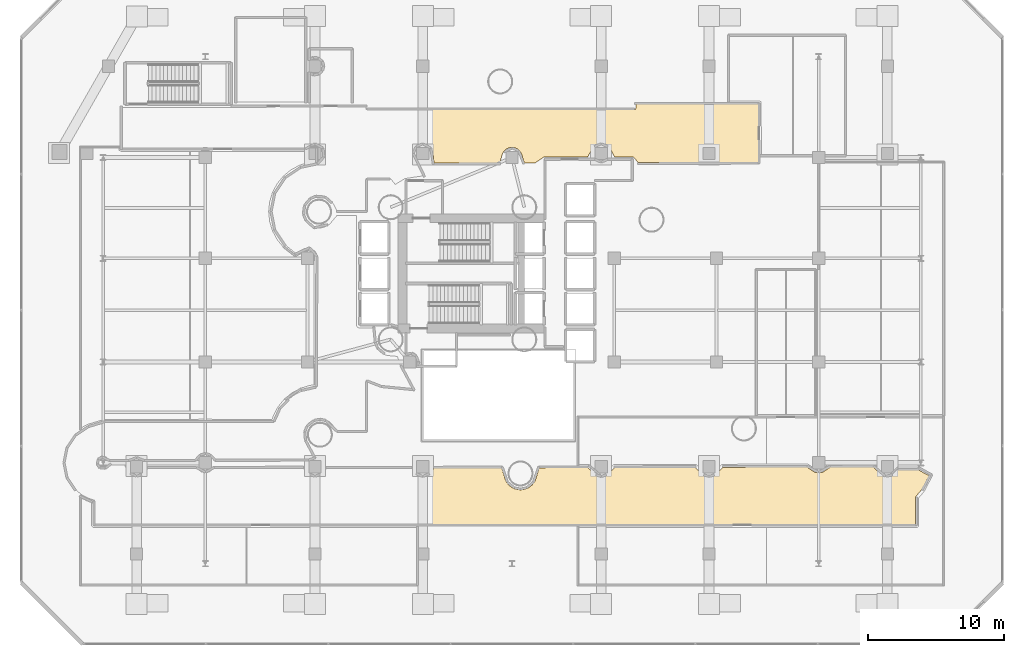
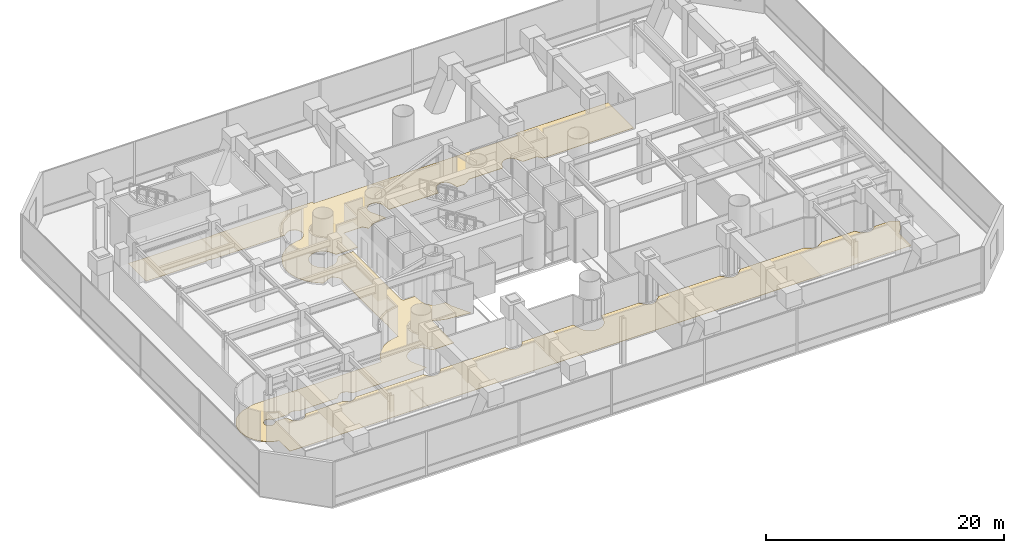
# One storey, part 41 of 45: 1 covering.
"""IFC4 building model written with IfcOpenShell, lengths in metres."""

from ifc_helpers import new_model, si_unit, direction, frame, origin, place, context, subcontext, project, spatial, polyline, outline, extrude, material, layer, layer_set, type_object, element, save


model = new_model("IFC4")

# Units and contexts
model_context = context("Model", 3, precision=1e-05, world=origin(), true_north=direction((0.0, 1.0)))
body_context = subcontext(model_context, "Body", "Model", "MODEL_VIEW")
ifc_project = project(units=[si_unit("LENGTHUNIT", "METRE"), si_unit("AREAUNIT", "SQUARE_METRE"), si_unit("VOLUMEUNIT", "CUBIC_METRE"), si_unit("PLANEANGLEUNIT", "RADIAN"), si_unit("MASSUNIT", "GRAM", prefix="KILO")], contexts=[model_context])

# Site, building, storey
site_placement = place(None, origin())
site = spatial("IfcSite", under=ifc_project, at=site_placement, CompositionType="ELEMENT")
building_placement = place(site_placement, origin())
building = spatial("IfcBuilding", under=site, at=building_placement, Name="Qianvela Tower", CompositionType="ELEMENT")
storey_placement = place(building_placement, frame((0.0, 0.0, 11.0)))
storey = spatial("IfcBuildingStorey", under=building, at=storey_placement, Name="L02", CompositionType="ELEMENT", Elevation=11.0)

# Covering
ifc_material = material(Name="Honed Stone Terrazzo Flooring", Category="masonry")
ifc_layer = layer(ifc_material, 0.030029296875)
ifc_layer_set = layer_set([ifc_layer], Name="Honed Stone Terrazzo Flooring")
covering_type = type_object("IfcCoveringType", Name="COV-FLOOR-TERRAZZO-30", PredefinedType="FLOORING", material=ifc_layer_set)
covering_placement = place(storey_placement, origin())
element("IfcCovering", 1, at=covering_placement, inside=storey, type_object=covering_type, Name="L02 Finish Flooring L02 Concourse Gallery Corridor", PredefinedType="FLOORING", context=body_context, shape_type="SweptSolid", body=[
    extrude(outline(polyline([(7.701416015625, 15.2333984375), (7.6953125, 15.237548828125), (7.68896484375, 15.2412109375), (7.682373046875, 15.243896484375), (7.67529296875, 15.246337890625), (7.668212890625, 15.248046875), (7.660888671875, 15.249267578125), (7.4296875, 15.27197265625), (7.422119140625, 15.272216796875), (7.4140625, 15.27197265625), (7.406494140625, 15.270751953125), (7.398681640625, 15.268798828125), (7.391357421875, 15.26611328125), (7.247314453125, 15.20654296875), (7.239990234375, 15.203125), (7.2333984375, 15.19921875), (7.22705078125, 15.1943359375), (7.22119140625, 15.189208984375), (7.11083984375, 15.078857421875), (7.105712890625, 15.072998046875), (7.100830078125, 15.066650390625), (7.096923828125, 15.059814453125), (7.093505859375, 15.052734375), (7.03369140625, 14.90869140625), (7.031005859375, 14.9013671875), (7.029296875, 14.8935546875), (7.028076171875, 14.885986328125), (7.027587890625, 14.8779296875), (7.027587890625, 14.721923828125), (7.028076171875, 14.714111328125), (7.029296875, 14.706298828125), (7.031005859375, 14.69873046875), (7.03369140625, 14.69140625), (7.093505859375, 14.547119140625), (7.096923828125, 14.5400390625), (7.100830078125, 14.533203125), (7.105712890625, 14.527099609375), (7.11083984375, 14.521240234375), (7.22119140625, 14.410888671875), (7.22705078125, 14.405517578125), (7.2333984375, 14.40087890625), (7.239990234375, 14.39697265625), (7.247314453125, 14.3935546875), (7.391357421875, 14.333740234375), (7.398681640625, 14.3310546875), (7.406494140625, 14.3291015625), (7.4140625, 14.328125), (7.422119140625, 14.32763671875), (7.4296875, 14.328125), (7.660888671875, 14.350830078125), (7.668212890625, 14.351806640625), (7.675537109375, 14.353759765625), (7.6826171875, 14.356201171875), (7.689453125, 14.359130859375), (7.69580078125, 14.36279296875), (7.701904296875, 14.3671875), (8.094482421875, 14.67041015625), (9.038818359375, 14.6728515625), (9.344482421875, 14.101318359375), (9.348388671875, 14.094482421875), (9.35302734375, 14.088134765625), (9.433837890625, 13.989501953125), (9.439208984375, 13.98388671875), (9.445068359375, 13.978515625), (9.451416015625, 13.973876953125), (9.662109375, 13.8330078125), (9.6689453125, 13.828857421875), (9.676025390625, 13.82568359375), (9.683349609375, 13.822998046875), (9.69091796875, 13.821044921875), (9.939697265625, 13.771484375), (9.947509765625, 13.7705078125), (9.955322265625, 13.77001953125), (9.963134765625, 13.7705078125), (9.970947265625, 13.771484375), (10.2197265625, 13.821044921875), (10.227294921875, 13.822998046875), (10.23486328125, 13.82568359375), (10.241943359375, 13.828857421875), (10.354248046875, 13.888916015625), (10.361083984375, 13.89306640625), (10.3671875, 13.897705078125), (10.4658203125, 13.978515625), (10.4716796875, 13.98388671875), (10.476806640625, 13.989501953125), (10.81005859375, 14.3955078125), (14.338623046875, 14.404296875), (14.703857421875, 14.135009765625), (14.711181640625, 14.13037109375), (14.718994140625, 14.126220703125), (14.72705078125, 14.123291015625), (14.735595703125, 14.12109375), (14.984375, 14.071533203125), (14.9921875, 14.0703125), (15.0, 14.070068359375), (15.0078125, 14.0703125), (15.015625, 14.071533203125), (15.264404296875, 14.12109375), (15.27294921875, 14.123291015625), (15.281005859375, 14.126220703125), (15.288818359375, 14.13037109375), (15.29638671875, 14.135009765625), (15.665283203125, 14.40771484375), (22.166748046875, 14.423828125), (22.523193359375, 13.989501953125), (22.5283203125, 13.98388671875), (22.5341796875, 13.978515625), (22.6328125, 13.897705078125), (22.638916015625, 13.89306640625), (22.645751953125, 13.888916015625), (22.65283203125, 13.885498046875), (22.88720703125, 13.78857421875), (22.89453125, 13.785888671875), (22.902099609375, 13.783935546875), (22.909912109375, 13.782958984375), (23.036865234375, 13.7705078125), (23.044677734375, 13.77001953125), (23.052490234375, 13.7705078125), (23.17919921875, 13.782958984375), (23.18701171875, 13.783935546875), (23.194580078125, 13.785888671875), (23.201904296875, 13.78857421875), (23.436279296875, 13.885498046875), (23.443359375, 13.888916015625), (23.4501953125, 13.89306640625), (23.45654296875, 13.897705078125), (23.554931640625, 13.978515625), (23.560791015625, 13.98388671875), (23.566162109375, 13.989501953125), (23.899169921875, 14.3955078125), (30.12841796875, 14.4111328125), (30.4150390625, 13.981689453125), (30.419921875, 13.9755859375), (30.425048828125, 13.9697265625), (30.430908203125, 13.96435546875), (30.437255859375, 13.959716796875), (30.654541015625, 13.814453125), (30.661376953125, 13.810302734375), (30.66845703125, 13.80712890625), (30.67578125, 13.804443359375), (30.683349609375, 13.802490234375), (30.939697265625, 13.75146484375), (30.947509765625, 13.75048828125), (30.955322265625, 13.75), (30.963134765625, 13.75048828125), (30.970947265625, 13.75146484375), (31.227294921875, 13.802490234375), (31.235107421875, 13.804443359375), (31.242431640625, 13.80712890625), (31.24951171875, 13.810302734375), (31.256103515625, 13.814453125), (31.4736328125, 13.959716796875), (31.47998046875, 13.96435546875), (31.485595703125, 13.9697265625), (31.490966796875, 13.9755859375), (31.49560546875, 13.981689453125), (31.785400390625, 14.415283203125), (36.746826171875, 14.427734375), (37.0087890625, 13.564208984375), (37.01123046875, 13.556884765625), (37.0146484375, 13.5498046875), (37.1181640625, 13.35595703125), (37.122314453125, 13.349365234375), (37.126953125, 13.343017578125), (37.26611328125, 13.17333984375), (37.271484375, 13.16748046875), (37.27734375, 13.162109375), (37.447021484375, 13.02294921875), (37.453369140625, 13.018310546875), (37.4599609375, 13.01416015625), (37.65380859375, 12.91064453125), (37.660888671875, 12.9072265625), (37.668212890625, 12.90478515625), (37.87841796875, 12.841064453125), (37.885986328125, 12.839111328125), (37.893798828125, 12.837890625), (38.1123046875, 12.81640625), (38.1201171875, 12.81591796875), (38.127685546875, 12.81640625), (38.34619140625, 12.837890625), (38.35400390625, 12.839111328125), (38.36181640625, 12.841064453125), (38.57177734375, 12.90478515625), (38.5791015625, 12.9072265625), (38.586181640625, 12.91064453125), (38.780029296875, 13.01416015625), (38.78662109375, 13.018310546875), (38.79296875, 13.02294921875), (38.962646484375, 13.162109375), (38.968505859375, 13.16748046875), (38.973876953125, 13.17333984375), (39.113037109375, 13.343017578125), (39.117919921875, 13.349365234375), (39.121826171875, 13.35595703125), (39.225341796875, 13.5498046875), (39.228759765625, 13.556884765625), (39.231201171875, 13.564208984375), (39.495361328125, 14.4345703125), (43.05859375, 14.443359375), (43.61572265625, 13.88623046875), (43.62158203125, 13.881103515625), (43.6279296875, 13.87646484375), (43.634765625, 13.872314453125), (43.641845703125, 13.868896484375), (43.88330078125, 13.76904296875), (43.890625, 13.766357421875), (43.898193359375, 13.764404296875), (43.906005859375, 13.76318359375), (44.036865234375, 13.75048828125), (44.044677734375, 13.75), (44.052490234375, 13.75048828125), (44.18310546875, 13.76318359375), (44.19091796875, 13.764404296875), (44.198486328125, 13.766357421875), (44.205810546875, 13.76904296875), (44.447509765625, 13.868896484375), (44.45458984375, 13.872314453125), (44.461181640625, 13.87646484375), (44.467529296875, 13.881103515625), (44.473388671875, 13.88623046875), (45.035400390625, 14.448486328125), (50.94970703125, 14.463134765625), (51.526611328125, 13.88623046875), (51.532470703125, 13.881103515625), (51.538818359375, 13.87646484375), (51.54541015625, 13.872314453125), (51.552490234375, 13.868896484375), (51.794189453125, 13.76904296875), (51.801513671875, 13.766357421875), (51.80908203125, 13.764404296875), (51.81689453125, 13.76318359375), (51.947509765625, 13.75048828125), (51.955322265625, 13.75), (51.963134765625, 13.75048828125), (52.093994140625, 13.76318359375), (52.101806640625, 13.764404296875), (52.109375, 13.766357421875), (52.11669921875, 13.76904296875), (52.358154296875, 13.868896484375), (52.365234375, 13.872314453125), (52.3720703125, 13.87646484375), (52.37841796875, 13.881103515625), (52.38427734375, 13.88623046875), (52.966064453125, 14.46826171875), (59.146484375, 14.483642578125), (59.69921875, 14.114501953125), (59.705810546875, 14.1103515625), (59.712890625, 14.107177734375), (59.720458984375, 14.1044921875), (59.72802734375, 14.1025390625), (59.984375, 14.051513671875), (59.9921875, 14.05029296875), (60.0, 14.050048828125), (60.0078125, 14.05029296875), (60.015625, 14.051513671875), (60.27197265625, 14.1025390625), (60.279541015625, 14.1044921875), (60.287109375, 14.107177734375), (60.294189453125, 14.1103515625), (60.30078125, 14.114501953125), (60.85986328125, 14.48779296875), (64.0107421875, 14.495849609375), (64.615478515625, 13.88671875), (64.621337890625, 13.881103515625), (64.627685546875, 13.87646484375), (64.634521484375, 13.872314453125), (64.641845703125, 13.868896484375), (64.88330078125, 13.76904296875), (64.890625, 13.766357421875), (64.898193359375, 13.764404296875), (64.906005859375, 13.76318359375), (64.913818359375, 13.762939453125), (65.17529296875, 13.762939453125), (65.18310546875, 13.76318359375), (65.19091796875, 13.764404296875), (65.198486328125, 13.766357421875), (65.205810546875, 13.76904296875), (65.447509765625, 13.868896484375), (65.45458984375, 13.872314453125), (65.461181640625, 13.87646484375), (65.467529296875, 13.881103515625), (65.473388671875, 13.88623046875), (65.853515625, 14.2666015625), (67.3291015625, 14.270263671875), (68.10693359375, 13.8544921875), (67.5556640625, 12.822998046875), (67.138916015625, 12.32958984375), (67.134033203125, 12.3232421875), (67.1298828125, 12.31640625), (67.126220703125, 12.30908203125), (67.12353515625, 12.301513671875), (67.12158203125, 12.293701171875), (67.120361328125, 12.285888671875), (67.1201171875, 12.27783203125), (67.1201171875, 10.280029296875), (6.8798828125, 10.280029296875), (6.8798828125, 11.996337890625), (6.879638671875, 12.00439453125), (6.87841796875, 12.01220703125), (6.876708984375, 12.019775390625), (6.873779296875, 12.027099609375), (6.87060546875, 12.0341796875), (6.866455078125, 12.041015625), (6.86181640625, 12.047119140625), (6.856689453125, 12.052978515625), (6.850830078125, 12.058349609375), (6.844482421875, 12.06298828125), (6.837646484375, 12.06689453125), (6.83056640625, 12.0703125), (6.8232421875, 12.072998046875), (6.4208984375, 12.195068359375), (5.93359375, 12.45556640625), (5.506103515625, 12.80615234375), (5.155517578125, 13.2333984375), (4.89501953125, 13.720947265625), (4.734619140625, 14.25), (4.680419921875, 14.800048828125), (4.734619140625, 15.35009765625), (4.89501953125, 15.87890625), (5.155517578125, 16.366455078125), (5.506103515625, 16.793701171875), (5.93359375, 17.144287109375), (6.4208984375, 17.405029296875), (7.624267578125, 17.77001953125), (14.4921875, 17.77001953125), (14.500244140625, 17.7705078125), (15.0, 17.819580078125), (15.499755859375, 17.7705078125), (15.5078125, 17.77001953125), (20.012451171875, 17.77001953125), (20.020263671875, 17.7705078125), (20.028076171875, 17.771484375), (20.03564453125, 17.7734375), (20.043212890625, 17.776123046875), (20.050048828125, 17.779296875), (20.056884765625, 17.783447265625), (20.063232421875, 17.7880859375), (20.069091796875, 17.79345703125), (20.07421875, 17.79931640625), (20.0791015625, 17.8056640625), (20.0830078125, 17.812255859375), (20.086181640625, 17.8193359375), (20.089111328125, 17.826904296875), (20.198486328125, 18.187744140625), (20.51904296875, 18.78759765625), (20.95068359375, 19.3134765625), (21.476318359375, 19.744873046875), (22.076171875, 20.0654296875), (22.72705078125, 20.262939453125), (23.10791015625, 20.30029296875), (23.115478515625, 20.301513671875), (23.123291015625, 20.303466796875), (23.130615234375, 20.30615234375), (23.1376953125, 20.3095703125), (23.144287109375, 20.3134765625), (23.15087890625, 20.318115234375), (23.156494140625, 20.323486328125), (23.161865234375, 20.329345703125), (23.16650390625, 20.335693359375), (23.170654296875, 20.34228515625), (23.173828125, 20.349365234375), (23.176513671875, 20.356689453125), (23.178466796875, 20.364501953125), (23.1796875, 20.372314453125), (23.179931640625, 20.380126953125), (23.179931640625, 21.872314453125), (23.248046875, 22.182861328125), (23.24951171875, 22.19140625), (23.25, 22.199951171875), (23.24951171875, 22.20849609375), (23.248046875, 22.217041015625), (23.179931640625, 22.527587890625), (23.179931640625, 29.468994140625), (23.233642578125, 29.64599609375), (23.235595703125, 29.65380859375), (23.23681640625, 29.661376953125), (23.237060546875, 29.669189453125), (23.237060546875, 29.9306640625), (23.23681640625, 29.938720703125), (23.235595703125, 29.9462890625), (23.233642578125, 29.953857421875), (23.23095703125, 29.961181640625), (23.131103515625, 30.202880859375), (23.127685546875, 30.2099609375), (23.12353515625, 30.216796875), (23.118896484375, 30.222900390625), (23.03564453125, 30.324462890625), (23.0302734375, 30.330322265625), (23.0244140625, 30.335693359375), (22.6982421875, 30.603515625), (22.69189453125, 30.60791015625), (22.685302734375, 30.612060546875), (22.677978515625, 30.615478515625), (22.670654296875, 30.6181640625), (22.6630859375, 30.6201171875), (22.6552734375, 30.62109375), (22.6474609375, 30.62158203125), (22.6396484375, 30.62109375), (22.6318359375, 30.6201171875), (22.624267578125, 30.6181640625), (22.220458984375, 30.49560546875), (22.212890625, 30.492919921875), (22.205810546875, 30.489501953125), (21.6162109375, 30.17431640625), (20.884521484375, 30.774658203125), (20.453125, 31.30029296875), (20.132568359375, 31.900146484375), (19.93505859375, 32.551025390625), (19.868408203125, 33.22802734375), (19.93505859375, 33.90478515625), (20.132568359375, 34.555908203125), (20.453125, 35.155517578125), (20.884521484375, 35.681396484375), (21.410400390625, 36.11279296875), (22.01025390625, 36.43359375), (22.6611328125, 36.630859375), (23.20703125, 36.684814453125), (23.21484375, 36.685791015625), (23.222412109375, 36.687744140625), (23.229736328125, 36.6904296875), (23.23681640625, 36.69384765625), (23.24365234375, 36.69775390625), (23.25, 36.702392578125), (23.569091796875, 36.96435546875), (23.574951171875, 36.9697265625), (23.580078125, 36.9755859375), (23.5849609375, 36.981689453125), (23.72998046875, 37.19921875), (23.734130859375, 37.205810546875), (23.737548828125, 37.212890625), (23.740234375, 37.220458984375), (23.7421875, 37.22802734375), (23.793212890625, 37.484375), (23.794189453125, 37.4921875), (23.794677734375, 37.5), (23.794189453125, 37.5078125), (23.78125, 37.638671875), (23.7802734375, 37.646240234375), (23.7783203125, 37.65380859375), (23.775634765625, 37.661376953125), (23.675537109375, 37.90283203125), (23.672119140625, 37.909912109375), (23.668212890625, 37.916748046875), (23.66357421875, 37.923095703125), (23.658203125, 37.9287109375), (23.473388671875, 38.11376953125), (23.467529296875, 38.118896484375), (23.461181640625, 38.12353515625), (23.45458984375, 38.127685546875), (23.447509765625, 38.131103515625), (23.205810546875, 38.23095703125), (23.198486328125, 38.233642578125), (23.19091796875, 38.235595703125), (23.18310546875, 38.23681640625), (23.052490234375, 38.24951171875), (23.044677734375, 38.25), (23.036865234375, 38.24951171875), (22.906005859375, 38.23681640625), (22.898193359375, 38.235595703125), (22.890625, 38.233642578125), (22.88330078125, 38.23095703125), (22.641845703125, 38.131103515625), (22.634765625, 38.127685546875), (22.6279296875, 38.12353515625), (22.62158203125, 38.118896484375), (22.33056640625, 37.8798828125), (15.32763671875, 37.8798828125), (15.01708984375, 37.947998046875), (15.008544921875, 37.949462890625), (15.0, 37.949951171875), (14.991455078125, 37.949462890625), (14.98291015625, 37.947998046875), (14.67236328125, 37.8798828125), (8.8798828125, 37.8798828125), (8.8798828125, 40.8798828125), (16.89990234375, 40.8798828125), (16.908203125, 40.88037109375), (16.916015625, 40.881591796875), (16.923828125, 40.8837890625), (17.103759765625, 40.93994140625), (26.77001953125, 40.93994140625), (26.77001953125, 40.800048828125), (26.7705078125, 40.792236328125), (26.771484375, 40.784423828125), (26.7734375, 40.77685546875), (26.776123046875, 40.769287109375), (26.779296875, 40.76220703125), (26.783447265625, 40.755615234375), (26.7880859375, 40.749267578125), (26.79345703125, 40.743408203125), (26.79931640625, 40.73828125), (26.8056640625, 40.7333984375), (26.812255859375, 40.7294921875), (26.8193359375, 40.72607421875), (26.826904296875, 40.723388671875), (26.83447265625, 40.721435546875), (26.84228515625, 40.720458984375), (26.85009765625, 40.719970703125), (46.5, 40.719970703125), (46.5078125, 40.720458984375), (46.515625, 40.721435546875), (46.523193359375, 40.723388671875), (46.530517578125, 40.72607421875), (46.53759765625, 40.7294921875), (46.54443359375, 40.7333984375), (46.55078125, 40.73828125), (46.556640625, 40.743408203125), (46.561767578125, 40.749267578125), (46.56640625, 40.755615234375), (46.570556640625, 40.76220703125), (46.573974609375, 40.769287109375), (46.57666015625, 40.77685546875), (46.57861328125, 40.784423828125), (46.57958984375, 40.792236328125), (46.580078125, 40.800048828125), (46.580078125, 41.1201171875), (55.570068359375, 41.1201171875), (55.570068359375, 36.838134765625), (46.76318359375, 36.816162109375), (46.439697265625, 37.210205078125), (46.4345703125, 37.2158203125), (46.4287109375, 37.22119140625), (46.422607421875, 37.225830078125), (46.415771484375, 37.22998046875), (46.40869140625, 37.233154296875), (46.4013671875, 37.23583984375), (46.393798828125, 37.23779296875), (46.385986328125, 37.239013671875), (46.378173828125, 37.2392578125), (45.029296875, 37.241943359375), (44.672119140625, 37.909912109375), (44.668212890625, 37.916748046875), (44.66357421875, 37.923095703125), (44.580078125, 38.0244140625), (44.574951171875, 38.0302734375), (44.569091796875, 38.03564453125), (44.562744140625, 38.040283203125), (44.345458984375, 38.185546875), (44.338623046875, 38.189697265625), (44.33154296875, 38.19287109375), (44.32421875, 38.195556640625), (44.316650390625, 38.197509765625), (44.060302734375, 38.24853515625), (44.052490234375, 38.24951171875), (44.044677734375, 38.25), (44.036865234375, 38.24951171875), (44.029052734375, 38.24853515625), (43.772705078125, 38.197509765625), (43.764892578125, 38.195556640625), (43.757568359375, 38.19287109375), (43.75048828125, 38.189697265625), (43.743896484375, 38.185546875), (43.5263671875, 38.040283203125), (43.52001953125, 38.03564453125), (43.514404296875, 38.0302734375), (43.509033203125, 38.0244140625), (43.42578125, 37.923095703125), (43.4208984375, 37.916748046875), (43.4169921875, 37.909912109375), (43.059814453125, 37.241943359375), (39.873779296875, 37.24169921875), (39.865966796875, 37.2412109375), (39.858154296875, 37.239990234375), (39.850341796875, 37.23828125), (39.843017578125, 37.235595703125), (39.835693359375, 37.23193359375), (39.8291015625, 37.227783203125), (39.193603515625, 36.797119140625), (38.403076171875, 36.79541015625), (38.195556640625, 37.4794921875), (38.19287109375, 37.487060546875), (38.189697265625, 37.494140625), (38.185546875, 37.500732421875), (38.040283203125, 37.71826171875), (38.03564453125, 37.724609375), (38.0302734375, 37.730224609375), (38.0244140625, 37.735595703125), (37.923095703125, 37.81884765625), (37.916748046875, 37.823486328125), (37.909912109375, 37.82763671875), (37.90283203125, 37.8310546875), (37.661376953125, 37.930908203125), (37.65380859375, 37.93359375), (37.646240234375, 37.935546875), (37.638671875, 37.936767578125), (37.5078125, 37.94970703125), (37.5, 37.949951171875), (37.4921875, 37.94970703125), (37.361328125, 37.936767578125), (37.353759765625, 37.935546875), (37.34619140625, 37.93359375), (37.338623046875, 37.930908203125), (37.09716796875, 37.8310546875), (37.090087890625, 37.82763671875), (37.083251953125, 37.823486328125), (37.076904296875, 37.81884765625), (37.0712890625, 37.813720703125), (36.88623046875, 37.62890625), (36.881103515625, 37.623046875), (36.87646484375, 37.61669921875), (36.872314453125, 37.60986328125), (36.810302734375, 37.494140625), (36.80712890625, 37.487060546875), (36.804443359375, 37.4794921875), (36.595458984375, 36.790771484375), (31.77685546875, 36.77880859375), (31.692138671875, 37.638671875), (31.69091796875, 37.646240234375), (31.689208984375, 37.65380859375), (31.686279296875, 37.661376953125), (31.58642578125, 37.90283203125), (31.5830078125, 37.909912109375), (31.5791015625, 37.916748046875), (31.57421875, 37.923095703125), (31.569091796875, 37.9287109375), (31.38427734375, 38.11376953125), (31.37841796875, 38.118896484375), (31.3720703125, 38.12353515625), (31.365234375, 38.127685546875), (31.358154296875, 38.131103515625), (31.11669921875, 38.23095703125), (31.109375, 38.233642578125), (31.101806640625, 38.235595703125), (31.093994140625, 38.23681640625), (30.963134765625, 38.24951171875), (30.955322265625, 38.25), (30.947509765625, 38.24951171875), (30.939697265625, 38.24853515625), (30.683349609375, 38.197509765625), (30.67578125, 38.195556640625), (30.66845703125, 38.19287109375), (30.661376953125, 38.189697265625), (30.654541015625, 38.185546875), (30.437255859375, 38.040283203125), (30.430908203125, 38.03564453125), (30.425048828125, 38.0302734375), (30.419921875, 38.0244140625), (30.4150390625, 38.018310546875), (30.27001953125, 37.80078125), (30.265869140625, 37.794189453125), (30.262451171875, 37.787109375), (30.259765625, 37.779541015625), (30.2578125, 37.77197265625), (30.206787109375, 37.515625), (30.205810546875, 37.5078125), (30.205322265625, 37.5), (30.205810546875, 37.4921875), (30.206787109375, 37.484375), (30.2578125, 37.22802734375), (30.259765625, 37.220458984375), (30.262451171875, 37.212890625), (30.265869140625, 37.205810546875), (30.988037109375, 35.854736328125), (29.670166015625, 35.658447265625), (29.66259765625, 35.656982421875), (29.655029296875, 35.65478515625), (29.64794921875, 35.651611328125), (29.64111328125, 35.64794921875), (28.93408203125, 35.226318359375), (28.60205078125, 35.630859375), (28.5966796875, 35.63671875), (28.5908203125, 35.641845703125), (28.584716796875, 35.646484375), (28.577880859375, 35.650634765625), (28.57080078125, 35.65380859375), (28.563232421875, 35.656494140625), (28.5556640625, 35.658447265625), (28.548095703125, 35.65966796875), (28.5400390625, 35.659912109375), (26.85009765625, 35.659912109375), (26.84228515625, 35.65966796875), (26.83447265625, 35.658447265625), (26.826904296875, 35.656494140625), (26.8193359375, 35.65380859375), (26.812255859375, 35.650634765625), (26.8056640625, 35.646484375), (26.79931640625, 35.641845703125), (26.79345703125, 35.63671875), (26.7880859375, 35.630859375), (26.783447265625, 35.62451171875), (26.779296875, 35.61767578125), (26.776123046875, 35.610595703125), (26.7734375, 35.603271484375), (26.771484375, 35.595703125), (26.7705078125, 35.587890625), (26.77001953125, 35.580078125), (26.77001953125, 33.29736328125), (24.658203125, 33.2919921875), (24.33984375, 33.887939453125), (24.335693359375, 33.894775390625), (24.3310546875, 33.90087890625), (24.19189453125, 34.07080078125), (24.1865234375, 34.076416015625), (24.1806640625, 34.081787109375), (24.010986328125, 34.22119140625), (24.004638671875, 34.225830078125), (23.998046875, 34.229736328125), (23.80419921875, 34.333251953125), (23.797119140625, 34.336669921875), (23.789794921875, 34.33935546875), (23.57958984375, 34.403076171875), (23.572021484375, 34.40478515625), (23.564208984375, 34.406005859375), (23.345703125, 34.427490234375), (23.337890625, 34.427978515625), (23.330078125, 34.427490234375), (23.11181640625, 34.406005859375), (23.10400390625, 34.40478515625), (23.09619140625, 34.403076171875), (22.88623046875, 34.33935546875), (22.87890625, 34.336669921875), (22.87158203125, 34.333251953125), (22.677978515625, 34.229736328125), (22.67138671875, 34.225830078125), (22.6650390625, 34.22119140625), (22.495361328125, 34.081787109375), (22.489501953125, 34.076416015625), (22.484130859375, 34.07080078125), (22.344970703125, 33.90087890625), (22.340087890625, 33.894775390625), (22.336181640625, 33.887939453125), (22.232666015625, 33.6943359375), (22.229248046875, 33.687255859375), (22.226806640625, 33.6796875), (22.1630859375, 33.4697265625), (22.1611328125, 33.462158203125), (22.159912109375, 33.454345703125), (22.138427734375, 33.23583984375), (22.137939453125, 33.22802734375), (22.138427734375, 33.22021484375), (22.159912109375, 33.001708984375), (22.1611328125, 32.993896484375), (22.1630859375, 32.986328125), (22.226806640625, 32.776123046875), (22.229248046875, 32.768798828125), (22.232666015625, 32.76171875), (22.336181640625, 32.568115234375), (22.340087890625, 32.561279296875), (22.344970703125, 32.554931640625), (22.484130859375, 32.38525390625), (22.489501953125, 32.37939453125), (22.495361328125, 32.374267578125), (22.93701171875, 32.01171875), (22.943359375, 32.007080078125), (22.9501953125, 32.0029296875), (22.957275390625, 31.99951171875), (22.964599609375, 31.9970703125), (22.97216796875, 31.9951171875), (22.97998046875, 31.993896484375), (22.98779296875, 31.993408203125), (22.99560546875, 31.993896484375), (23.564208984375, 32.0498046875), (23.572021484375, 32.051025390625), (23.57958984375, 32.052978515625), (23.789794921875, 32.11669921875), (23.797119140625, 32.119384765625), (23.80419921875, 32.122802734375), (23.998046875, 32.226318359375), (24.004638671875, 32.230224609375), (24.010986328125, 32.23486328125), (24.1806640625, 32.374267578125), (24.1865234375, 32.37939453125), (24.19189453125, 32.38525390625), (24.656982421875, 32.951904296875), (26.099609375, 32.95556640625), (26.10595703125, 24.859375), (26.1064453125, 24.8515625), (26.107666015625, 24.84375), (26.109619140625, 24.836181640625), (26.112060546875, 24.82861328125), (26.115478515625, 24.821533203125), (26.119384765625, 24.81494140625), (26.164794921875, 24.747314453125), (26.169189453125, 24.740966796875), (26.174560546875, 24.735107421875), (26.180419921875, 24.72998046875), (26.186767578125, 24.725341796875), (26.193603515625, 24.72119140625), (26.20068359375, 24.718017578125), (26.275634765625, 24.686767578125), (26.282958984375, 24.68408203125), (26.29052734375, 24.68212890625), (26.29833984375, 24.68115234375), (26.30615234375, 24.6806640625), (27.31787109375, 24.679931640625), (27.421875, 23.623779296875), (27.423095703125, 23.615966796875), (27.425048828125, 23.6083984375), (27.48876953125, 23.398193359375), (27.4912109375, 23.390869140625), (27.49462890625, 23.3837890625), (27.59814453125, 23.18994140625), (27.602294921875, 23.183349609375), (27.60693359375, 23.177001953125), (27.74609375, 23.00732421875), (27.75146484375, 23.00146484375), (27.75732421875, 22.99609375), (27.927001953125, 22.85693359375), (27.933349609375, 22.852294921875), (27.93994140625, 22.84814453125), (28.1337890625, 22.74462890625), (28.140869140625, 22.7412109375), (28.148193359375, 22.73876953125), (28.3583984375, 22.675048828125), (28.365966796875, 22.673095703125), (28.373779296875, 22.671875), (29.09814453125, 22.6005859375), (29.304443359375, 21.92041015625), (29.30712890625, 21.9130859375), (29.310302734375, 21.906005859375), (30.210693359375, 20.2216796875), (27.923095703125, 20.447021484375), (27.272216796875, 20.64453125), (26.8876953125, 20.85009765625), (26.880615234375, 20.853515625), (26.873291015625, 20.85595703125), (26.865478515625, 20.85791015625), (26.85791015625, 20.859130859375), (26.85009765625, 20.859619140625), (26.84228515625, 20.859130859375), (26.83447265625, 20.85791015625), (26.826904296875, 20.85595703125), (26.8193359375, 20.853515625), (26.812255859375, 20.85009765625), (26.8056640625, 20.845947265625), (26.79931640625, 20.84130859375), (26.79345703125, 20.8359375), (26.7880859375, 20.830078125), (26.783447265625, 20.823974609375), (26.779296875, 20.817138671875), (26.776123046875, 20.81005859375), (26.7734375, 20.802734375), (26.771484375, 20.795166015625), (26.7705078125, 20.787353515625), (26.77001953125, 20.779541015625), (26.77001953125, 17.145751953125), (24.693359375, 17.140380859375), (24.24365234375, 17.688720703125), (24.23828125, 17.6943359375), (24.232666015625, 17.69970703125), (24.06591796875, 17.83642578125), (24.0595703125, 17.841064453125), (24.052734375, 17.84521484375), (23.86279296875, 17.94677734375), (23.855712890625, 17.9501953125), (23.84814453125, 17.952880859375), (23.641845703125, 18.015380859375), (23.63427734375, 18.017333984375), (23.62646484375, 18.0185546875), (23.411865234375, 18.03955078125), (23.404052734375, 18.0400390625), (23.396240234375, 18.03955078125), (23.181640625, 18.0185546875), (23.173828125, 18.017333984375), (23.166259765625, 18.015380859375), (22.959716796875, 17.952880859375), (22.952392578125, 17.9501953125), (22.9453125, 17.94677734375), (22.755126953125, 17.84521484375), (22.748291015625, 17.841064453125), (22.7421875, 17.83642578125), (22.575439453125, 17.69970703125), (22.569580078125, 17.6943359375), (22.564208984375, 17.688720703125), (22.427490234375, 17.52197265625), (22.4228515625, 17.515625), (22.418701171875, 17.5087890625), (22.317138671875, 17.318603515625), (22.313720703125, 17.3115234375), (22.311279296875, 17.30419921875), (22.24853515625, 17.097900390625), (22.24658203125, 17.090087890625), (22.24560546875, 17.08251953125), (22.224365234375, 16.867919921875), (22.22412109375, 16.860107421875), (22.224365234375, 16.852294921875), (22.24560546875, 16.6376953125), (22.24658203125, 16.6298828125), (22.24853515625, 16.622314453125), (22.311279296875, 16.415771484375), (22.313720703125, 16.408447265625), (22.317138671875, 16.4013671875), (22.955078125, 15.20751953125), (22.782958984375, 15.179443359375), (22.774658203125, 15.177734375), (22.7666015625, 15.175048828125), (22.759033203125, 15.17138671875), (22.751708984375, 15.167236328125), (22.569580078125, 15.046630859375), (15.74951171875, 15.029541015625), (15.42041015625, 15.39404296875), (15.41552734375, 15.399169921875), (15.41015625, 15.40380859375), (15.404296875, 15.40771484375), (15.398193359375, 15.411376953125), (15.3916015625, 15.414306640625), (15.157470703125, 15.511474609375), (15.14990234375, 15.51416015625), (15.142333984375, 15.51611328125), (15.134765625, 15.51708984375), (15.0078125, 15.529541015625), (15.0, 15.530029296875), (14.9921875, 15.529541015625), (14.865234375, 15.51708984375), (14.857666015625, 15.51611328125), (14.85009765625, 15.51416015625), (14.842529296875, 15.511474609375), (14.6083984375, 15.414306640625), (14.601806640625, 15.411376953125), (14.595703125, 15.40771484375), (14.58984375, 15.40380859375), (14.58447265625, 15.399169921875), (14.57958984375, 15.39404296875), (14.247314453125, 15.02587890625), (10.531005859375, 15.0166015625), (10.241943359375, 15.171142578125), (10.23486328125, 15.17431640625), (10.227294921875, 15.177001953125), (10.2197265625, 15.178955078125), (9.970947265625, 15.228515625), (9.963134765625, 15.2294921875), (9.955322265625, 15.22998046875), (9.947509765625, 15.2294921875), (9.939697265625, 15.228515625), (9.69091796875, 15.178955078125), (9.683349609375, 15.177001953125), (9.676025390625, 15.17431640625), (9.6689453125, 15.171142578125), (9.37451171875, 15.013671875), (7.99560546875, 15.01025390625), (7.701416015625, 15.2333984375)])), origin(), (0.0, 0.0, 1.0), 0.030029296875),
])

save(model, "model.ifc")
